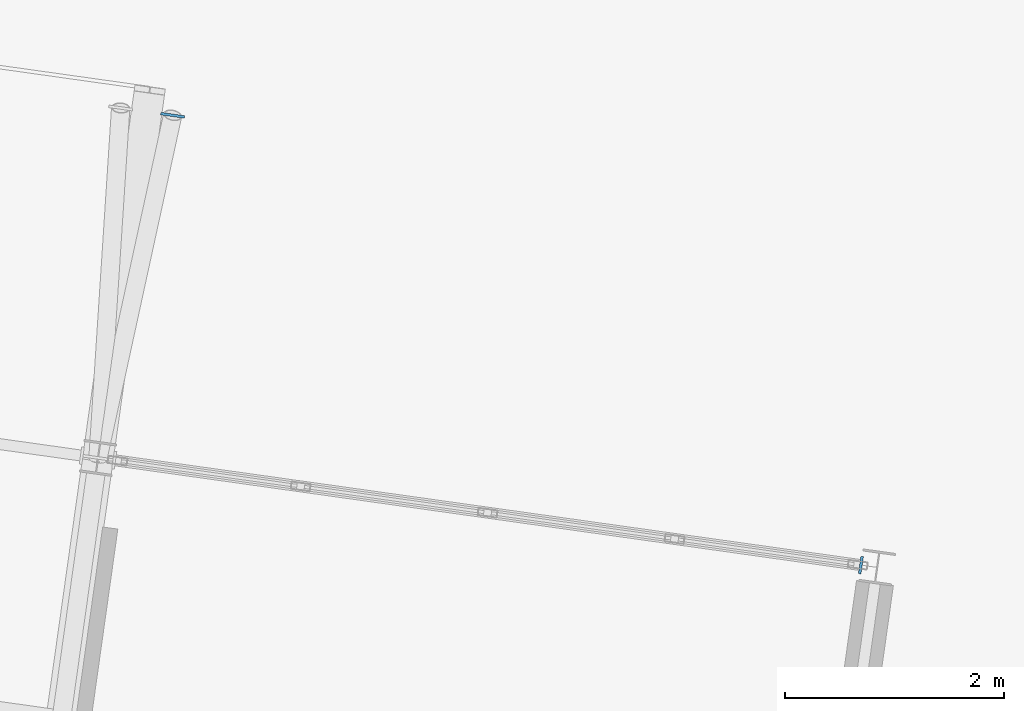
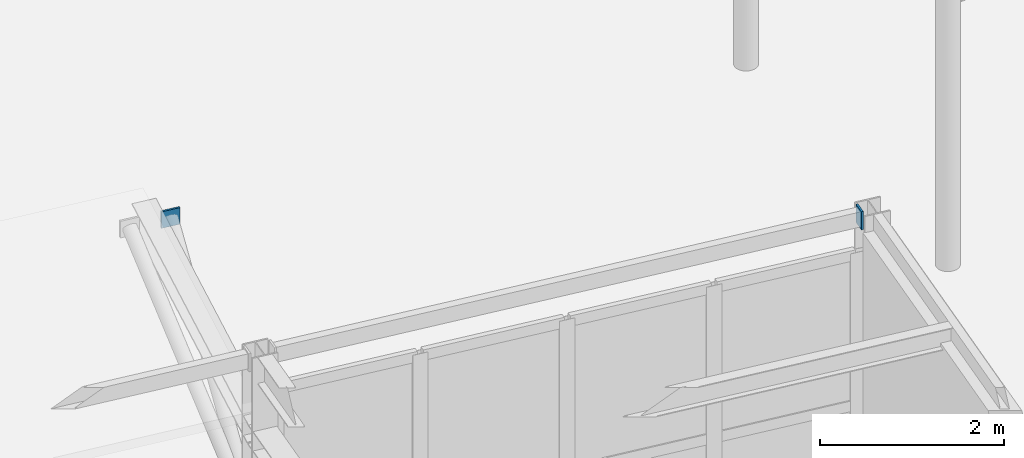
# One storey, part 40 of 57: 2 plates.
"""IFC4 building model written with IfcOpenShell, lengths in metres."""

from ifc_helpers import new_model, si_unit, direction, frame, origin, origin_2d, place, context, subcontext, project, spatial, rectangle, extrude, material, layer, layer_set, type_object, element, save


model = new_model("IFC4")

# Units and contexts
model_context = context("Model", 3, precision=1e-05, world=origin(), true_north=direction((0.0, 1.0)))
body_context = subcontext(model_context, "Body", "Model", "MODEL_VIEW")
ifc_project = project(units=[si_unit("LENGTHUNIT", "METRE"), si_unit("AREAUNIT", "SQUARE_METRE"), si_unit("VOLUMEUNIT", "CUBIC_METRE"), si_unit("PLANEANGLEUNIT", "RADIAN"), si_unit("MASSUNIT", "GRAM", prefix="KILO")], contexts=[model_context])

# Site, building, storey
site_placement = place(None, origin())
site = spatial("IfcSite", under=ifc_project, at=site_placement, CompositionType="ELEMENT")
building_placement = place(site_placement, origin())
building = spatial("IfcBuilding", under=site, at=building_placement, Name="Kharisveld Research Institute", CompositionType="ELEMENT")
storey_placement = place(building_placement, origin())
storey = spatial("IfcBuildingStorey", under=building, at=storey_placement, Name="L00", CompositionType="ELEMENT", Elevation=0.0)

# Plates
ifc_material = material(Name="Steel S355JR", Category="steel")
ifc_layer = layer(ifc_material, 0.01806640625)
ifc_layer_set = layer_set([ifc_layer], Name="PL_CAP_B")
plate_type = type_object("IfcPlateType", Name="PL_CAP_B", PredefinedType="SHEET", material=ifc_layer_set)
plate_1_placement = place(storey_placement, frame((106.377197265625, 34.902587890625, 4.7001953125), z_axis=(0.0, 0.0, 1.0), x_axis=(0.990268068742, -0.13917310096, 0.0)))
element("IfcPlate", 1, at=plate_1_placement, inside=storey, type_object=plate_type, Name="PLT:CAP:BM:V4:L00:U3_3:1", PredefinedType="SHEET", context=body_context, shape_type="SweptSolid", body=[
    extrude(rectangle(XDim=0.02392578125, YDim=0.159912109375, at=origin_2d()), origin(), (0.0, 0.0, 1.0), 0.239990234375),
])
plate_2_placement = place(storey_placement, frame((100.078857421875, 39.01904296875, 4.41015625), z_axis=(0.0, 0.0, 1.0), x_axis=(0.990268068742, -0.13917310096, 0.0)))
element("IfcPlate", 2, at=plate_2_placement, inside=storey, type_object=plate_type, Name="PLT:CAP:MEM:V4:L00:CAN_STRUT_3B:1", PredefinedType="SHEET", context=body_context, shape_type="SweptSolid", body=[
    extrude(rectangle(XDim=0.219970703125, YDim=0.02392578125, at=origin_2d()), origin(), (0.0, 0.0, 1.0), 0.219970703125),
])

save(model, "model.ifc")
